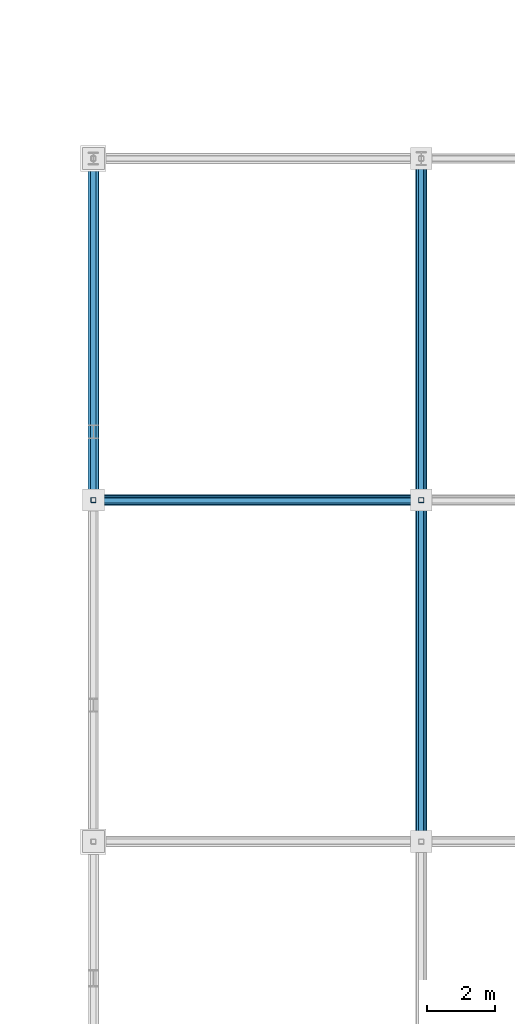
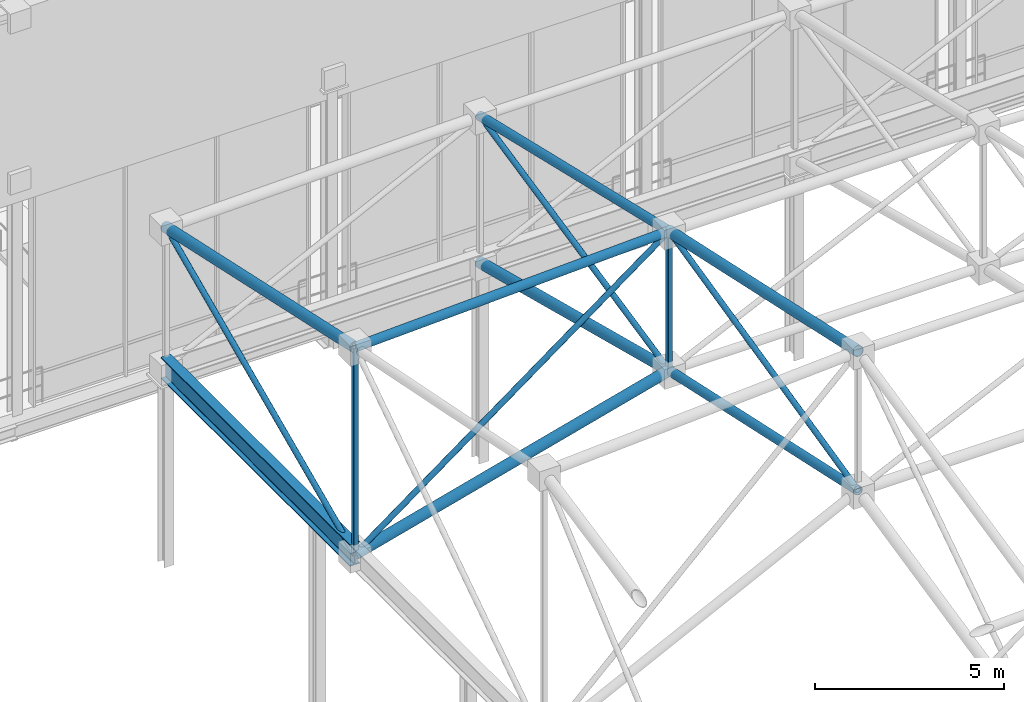
# One storey, part 89 of 193: 13 members, 1 beam.
"""IFC4 building model written with IfcOpenShell, lengths in metres."""

from ifc_helpers import new_model, si_unit, direction, frame, origin, origin_2d, place, context, subcontext, project, spatial, hollow_rectangle, hollow_circle, i_section, extrude, material, material_profile, profile_set, type_object, element, save


model = new_model("IFC4")

# Units and contexts
model_context = context("Model", 3, precision=1e-05, world=origin(), true_north=direction((0.0, 1.0)))
body_context = subcontext(model_context, "Body", "Model", "MODEL_VIEW")
ifc_project = project(units=[si_unit("LENGTHUNIT", "METRE"), si_unit("AREAUNIT", "SQUARE_METRE"), si_unit("VOLUMEUNIT", "CUBIC_METRE"), si_unit("PLANEANGLEUNIT", "RADIAN"), si_unit("MASSUNIT", "GRAM", prefix="KILO")], contexts=[model_context])

# Site, building, storey
site_placement = place(None, origin())
site = spatial("IfcSite", under=ifc_project, at=site_placement, CompositionType="ELEMENT")
building_placement = place(site_placement, origin())
building = spatial("IfcBuilding", under=site, at=building_placement, Name="Danafjord Basin Convention Centre", CompositionType="ELEMENT")
storey_placement = place(building_placement, frame((0.0, 0.0, 11.39990234375)))
storey = spatial("IfcBuildingStorey", under=building, at=storey_placement, Name="L02", CompositionType="ELEMENT", Elevation=11.39990234375)

# Beam
ifc_material = material(Name="Steel S355", Category="steel")
ifc_material_profile_1 = material_profile(ifc_material, i_section(OverallWidth=0.300048828125, OverallDepth=0.699951171875, WebThickness=0.01708984375, FlangeThickness=0.031982421875, FilletRadius=0.027099609375, at=origin_2d()), Name="HEB 700")
ifc_profile_set_1 = profile_set([ifc_material_profile_1], Name="Steel S355")
beam_type = type_object("IfcBeamType", Name="BEAM-BM-HEB700", PredefinedType="BEAM", material=ifc_profile_set_1)
beam_placement = place(storey_placement, frame((144.0, 70.0, 6.35009765625), z_axis=(0.0, 1.0, 0.0), x_axis=(-1.0, 0.0, 0.0)))
element("IfcBeam", 1, at=beam_placement, inside=storey, type_object=beam_type, Name="V3 space-frame perimeter ring girder", PredefinedType="BEAM", context=body_context, shape_type="SweptSolid", body=[
    extrude(i_section(OverallWidth=0.300048828125, OverallDepth=0.699951171875, WebThickness=0.01708984375, FlangeThickness=0.031982421875, FilletRadius=0.027099609375, at=origin_2d()), origin(), (0.0, 0.0, 1.0), 10.0),
])

# Members
ifc_material_profile_2 = material_profile(ifc_material, hollow_circle(Radius=0.136474609375, WallThickness=0.012451171875, at=origin_2d()), Name="CHS 273.0x12.5")
ifc_profile_set_2 = profile_set([ifc_material_profile_2], Name="Steel S355")
member_type_1 = type_object("IfcMemberType", Name="MEM-CH-CHS273", PredefinedType="CHORD", material=ifc_profile_set_2)
member_1_placement = place(storey_placement, frame((144.0, 70.0, 13.0341796875), z_axis=(0.999159728014, 0.0, 0.040985825779), x_axis=(0.0, 1.0, 0.0)))
element("IfcMember", 2, at=member_1_placement, inside=storey, type_object=member_type_1, Name="V3 roof truss longitudinal top chord", PredefinedType="CHORD", context=body_context, shape_type="SweptSolid", body=[
    extrude(hollow_circle(Radius=0.136474609375, WallThickness=0.012451171875, at=origin_2d()), origin(), (0.0, 0.0, 1.0), 9.608154296875),
])
member_2_placement = place(storey_placement, frame((153.60009765625, 60.0, 11.112548828125), z_axis=(0.0, 0.976959730358, -0.213423722345), x_axis=(-1.0, 0.0, 0.0)))
element("IfcMember", 3, at=member_2_placement, inside=storey, type_object=member_type_1, Name="V3 roof truss transverse bottom chord", PredefinedType="CHORD", context=body_context, shape_type="SweptSolid", body=[
    extrude(hollow_circle(Radius=0.136474609375, WallThickness=0.012451171875, at=origin_2d()), origin(), (0.0, 0.0, 1.0), 10.23583984375),
])
member_3_placement = place(storey_placement, frame((153.60009765625, 70.0, 13.427978515625), z_axis=(0.0, 0.97342059664, -0.229024762935), x_axis=(-1.0, 0.0, 0.0)))
element("IfcMember", 4, at=member_3_placement, inside=storey, type_object=member_type_1, Name="V3 roof truss transverse top chord", PredefinedType="CHORD", context=body_context, shape_type="SweptSolid", body=[
    extrude(hollow_circle(Radius=0.136474609375, WallThickness=0.012451171875, at=origin_2d()), origin(), (0.0, 0.0, 1.0), 10.27294921875),
])
ifc_material_profile_3 = material_profile(ifc_material, hollow_circle(Radius=0.161865234375, WallThickness=0.01611328125, at=origin_2d()), Name="CHS 323.9x16.0")
ifc_profile_set_3 = profile_set([ifc_material_profile_3], Name="Steel S355")
member_type_2 = type_object("IfcMemberType", Name="MEM-CH-CHS324", PredefinedType="CHORD", material=ifc_profile_set_3)
member_4_placement = place(storey_placement, frame((144.0, 70.0, 6.35009765625), z_axis=(0.965786291325, 0.0, 0.259339236308), x_axis=(0.0, 1.0, 0.0)))
element("IfcMember", 5, at=member_4_placement, inside=storey, type_object=member_type_2, Name="V3 roof truss longitudinal bottom chord", PredefinedType="CHORD", context=body_context, shape_type="SweptSolid", body=[
    extrude(hollow_circle(Radius=0.161865234375, WallThickness=0.01611328125, at=origin_2d()), origin(), (0.0, 0.0, 1.0), 9.940185546875),
])
for number, where, z_axis, x_axis, name in (
    (6, (144.0, 70.0, 13.0341796875), (0.0, 0.976969675801, -0.213378191399), (-1.0, 0.0, 0.0), "V3 roof truss transverse top chord"),
    (7, (153.60009765625, 60.0, 15.612548828125), (0.0, 0.976959730358, -0.213423722345), (-1.0, 0.0, 0.0), "V3 roof truss transverse top chord"),
):
    element("IfcMember", number, at=place(storey_placement, frame(where, z_axis=z_axis, x_axis=x_axis)), inside=storey, type_object=member_type_2, Name=name, PredefinedType="CHORD", context=body_context, shape_type="SweptSolid", body=[
        extrude(hollow_circle(Radius=0.161865234375, WallThickness=0.01611328125, at=origin_2d()), origin(), (0.0, 0.0, 1.0), 10.23583984375),
    ])
member_5_placement = place(storey_placement, frame((153.60009765625, 70.0, 8.927978515625), z_axis=(0.0, 0.968342056441, -0.249627045263), x_axis=(-1.0, 0.0, 0.0)))
element("IfcMember", 8, at=member_5_placement, inside=storey, type_object=member_type_2, Name="V3 roof truss transverse bottom chord", PredefinedType="CHORD", context=body_context, shape_type="SweptSolid", body=[
    extrude(hollow_circle(Radius=0.161865234375, WallThickness=0.01611328125, at=origin_2d()), origin(), (0.0, 0.0, 1.0), 10.326904296875),
])
ifc_material_profile_4 = material_profile(ifc_material, hollow_rectangle(XDim=0.14990234375, YDim=0.14990234375, WallThickness=0.008056640625, InnerFilletRadius=0.011962890625, OuterFilletRadius=0.02001953125, at=origin_2d()), Name="SHS 150x150x8.0")
ifc_profile_set_4 = profile_set([ifc_material_profile_4], Name="Steel S355")
member_type_3 = type_object("IfcMemberType", Name="MEM-ST-SHS150", PredefinedType="STRUT", material=ifc_profile_set_4)
member_6_placement = place(storey_placement, frame((144.0, 70.0, 6.35009765625), z_axis=(0.0, 0.0, 1.0), x_axis=(1.0, 0.0, 0.0)))
element("IfcMember", 9, at=member_6_placement, inside=storey, type_object=member_type_3, Name="V3 roof truss vertical strut", PredefinedType="STRUT", context=body_context, shape_type="SweptSolid", body=[
    extrude(hollow_rectangle(XDim=0.14990234375, YDim=0.14990234375, WallThickness=0.008056640625, InnerFilletRadius=0.011962890625, OuterFilletRadius=0.02001953125, at=origin_2d()), origin(), (0.0, 0.0, 1.0), 6.68408203125),
])
member_7_placement = place(storey_placement, frame((153.60009765625, 70.0, 8.927978515625), z_axis=(0.0, 0.0, 1.0), x_axis=(1.0, 0.0, 0.0)))
element("IfcMember", 10, at=member_7_placement, inside=storey, type_object=member_type_3, Name="V3 roof truss vertical strut", PredefinedType="STRUT", context=body_context, shape_type="SweptSolid", body=[
    extrude(hollow_rectangle(XDim=0.14990234375, YDim=0.14990234375, WallThickness=0.008056640625, InnerFilletRadius=0.011962890625, OuterFilletRadius=0.02001953125, at=origin_2d()), origin(), (0.0, 0.0, 1.0), 4.5),
])
ifc_material_profile_5 = material_profile(ifc_material, hollow_circle(Radius=0.084228515625, WallThickness=0.008056640625, at=origin_2d()), Name="CHS 168.3x8.0")
ifc_profile_set_5 = profile_set([ifc_material_profile_5], Name="Steel S355")
member_type_4 = type_object("IfcMemberType", Name="MEM-WB-CHS168", PredefinedType="MEMBER", material=ifc_profile_set_5)
member_8_placement = place(storey_placement, frame((144.0, 70.0, 6.35009765625), z_axis=(0.804890655932, 0.0, 0.593423147503), x_axis=(0.0, 1.0, 0.0)))
element("IfcMember", 11, at=member_8_placement, inside=storey, type_object=member_type_4, Name="V3 space-frame longitudinal web", PredefinedType="MEMBER", context=body_context, shape_type="SweptSolid", body=[
    extrude(hollow_circle(Radius=0.084228515625, WallThickness=0.008056640625, at=origin_2d()), origin(), (0.0, 0.0, 1.0), 11.92724609375),
])
member_9_placement = place(storey_placement, frame((144.0, 70.0, 6.35009765625), z_axis=(0.0, 0.911921505175, 0.410364677329), x_axis=(-1.0, 0.0, 0.0)))
element("IfcMember", 12, at=member_9_placement, inside=storey, type_object=member_type_4, Name="V3 space-frame transverse web", PredefinedType="MEMBER", context=body_context, shape_type="SweptSolid", body=[
    extrude(hollow_circle(Radius=0.084228515625, WallThickness=0.008056640625, at=origin_2d()), origin(), (0.0, 0.0, 1.0), 10.9658203125),
])
member_10_placement = place(storey_placement, frame((153.60009765625, 60.0, 11.112548828125), z_axis=(0.0, 0.974225775426, 0.225575128275), x_axis=(-1.0, 0.0, 0.0)))
element("IfcMember", 13, at=member_10_placement, inside=storey, type_object=member_type_4, Name="V3 space-frame transverse web", PredefinedType="MEMBER", context=body_context, shape_type="SweptSolid", body=[
    extrude(hollow_circle(Radius=0.084228515625, WallThickness=0.008056640625, at=origin_2d()), origin(), (0.0, 0.0, 1.0), 10.2646484375),
])
member_11_placement = place(storey_placement, frame((153.60009765625, 70.0, 8.927978515625), z_axis=(0.0, 0.977714999899, 0.209936607034), x_axis=(-1.0, 0.0, 0.0)))
element("IfcMember", 14, at=member_11_placement, inside=storey, type_object=member_type_4, Name="V3 space-frame transverse web", PredefinedType="MEMBER", context=body_context, shape_type="SweptSolid", body=[
    extrude(hollow_circle(Radius=0.084228515625, WallThickness=0.008056640625, at=origin_2d()), origin(), (0.0, 0.0, 1.0), 10.22802734375),
])

save(model, "model.ifc")
